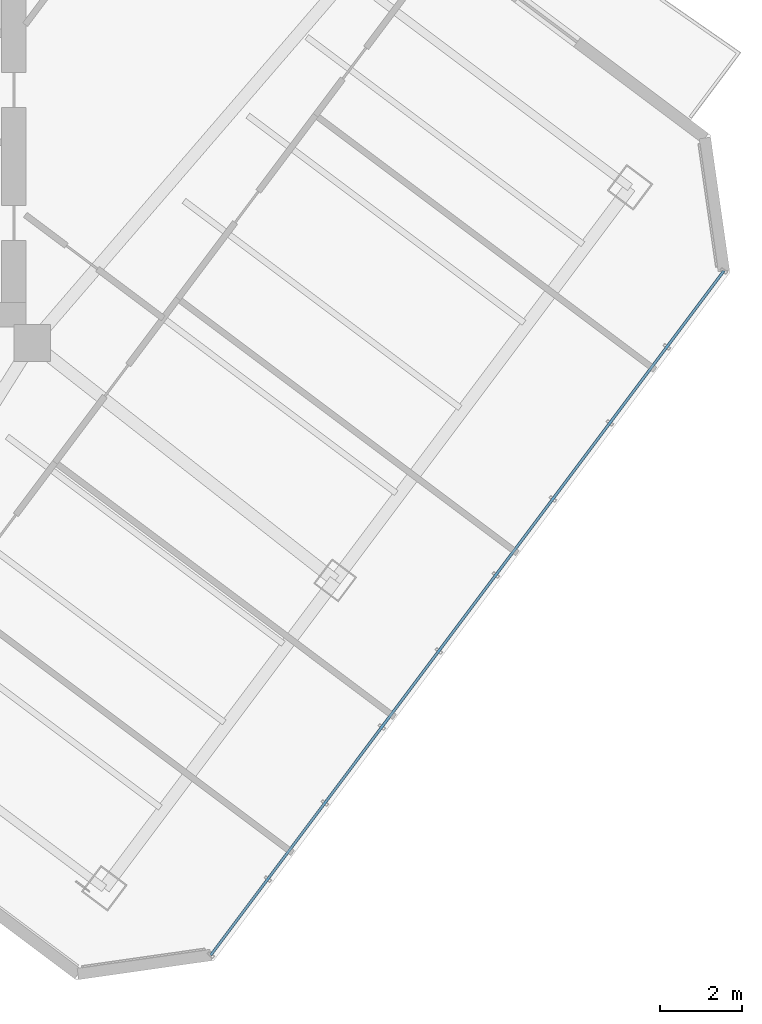
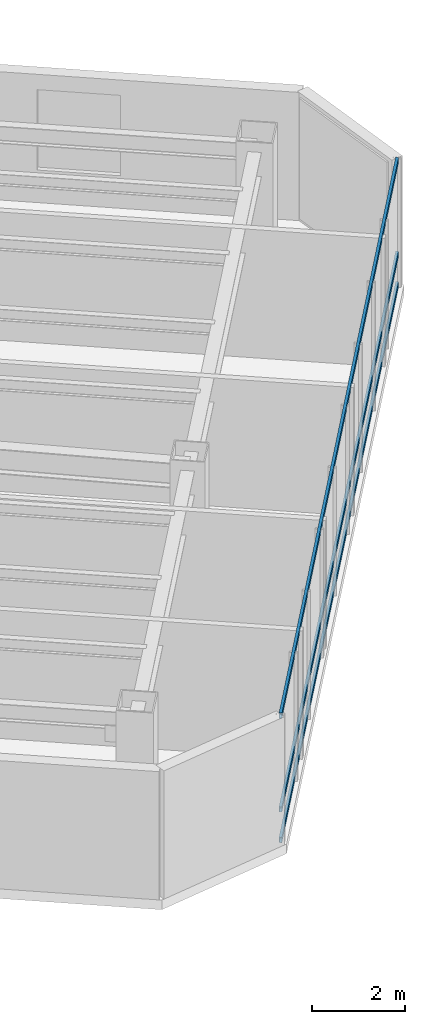
# One storey, part 12 of 27: 3 members, 1 element without a shape of its own.
"""IFC4 building model written with IfcOpenShell, lengths in metres."""

from ifc_helpers import new_model, si_unit, direction, frame, origin, origin_2d, place, context, subcontext, project, spatial, hollow_rectangle, extrude, material, layer, layer_set, material_profile, profile_set, type_object, element, aggregate, save


model = new_model("IFC4")

# Units and contexts
model_context = context("Model", 3, precision=1e-05, world=origin(), true_north=direction((0.0, 1.0)))
body_context = subcontext(model_context, "Body", "Model", "MODEL_VIEW")
ifc_project = project(units=[si_unit("LENGTHUNIT", "METRE"), si_unit("AREAUNIT", "SQUARE_METRE"), si_unit("VOLUMEUNIT", "CUBIC_METRE"), si_unit("PLANEANGLEUNIT", "RADIAN"), si_unit("MASSUNIT", "GRAM", prefix="KILO")], contexts=[model_context])

# Site, building, storey
site_placement = place(None, origin())
site = spatial("IfcSite", under=ifc_project, at=site_placement, CompositionType="ELEMENT")
building_placement = place(site_placement, origin())
building = spatial("IfcBuilding", under=site, at=building_placement, Name="Hatsunagi Terrace Concourse", CompositionType="ELEMENT")
storey_placement = place(building_placement, frame((0.0, 0.0, 163.64990234375)))
storey = spatial("IfcBuildingStorey", under=building, at=storey_placement, Name="L43", CompositionType="ELEMENT", Elevation=163.64990234375)

# Curtain wall, members
ifc_material_1 = material(Name="Anodised Aluminium Alloy 6063-T5", Category="aluminium")
ifc_layer = layer(ifc_material_1, 0.199951171875)
ifc_layer_set = layer_set([ifc_layer], Name="OfficeZone1_CW03")
curtain_wall_type = type_object("IfcCurtainWallType", Name="OfficeZone1_CW03", PredefinedType="NOTDEFINED", material=ifc_layer_set)
curtain_wall_placement = place(storey_placement, origin())
curtain_wall = element("IfcCurtainWall", 1, at=curtain_wall_placement, inside=storey, type_object=curtain_wall_type, Name="Unitised Curtain Wall CW-03 CW-L43-03", PredefinedType="NOTDEFINED")
ifc_material_2 = material(Name="Anodised Aluminium Alloy 6063-T5", Category="aluminium")
ifc_material_profile = material_profile(ifc_material_2, hollow_rectangle(XDim=0.06494140625, YDim=0.139892578125, WallThickness=0.00390625, at=origin_2d()), Name="ALU-TRN-140x65x4")
ifc_profile_set = profile_set([ifc_material_profile], Name="Anodised Aluminium Alloy 6063-T5")
member_type = type_object("IfcMemberType", Name="CurtainWallTransom_140x65", PredefinedType="USERDEFINED", material=ifc_profile_set)
member_1_placement = place(storey_placement, frame((60.693115234375, 25.9580078125, 0.050048828125), z_axis=(-0.599970072971, -0.800022444397, 0.0), x_axis=(0.800022444397, -0.599970072971, 0.0)))
member_1 = element("IfcMember", 2, at=member_1_placement, type_object=member_type, Name="Curtain Wall Transom TRN-02", ObjectType="TRANSOM", PredefinedType="USERDEFINED", context=body_context, shape_type="SweptSolid", body=[
    extrude(hollow_rectangle(XDim=0.06494140625, YDim=0.139892578125, WallThickness=0.00390625, at=origin_2d()), origin(), (0.0, 0.0, 1.0), 20.884521484375),
])
member_2_placement = place(storey_placement, frame((60.693115234375, 25.9580078125, 0.85009765625), z_axis=(-0.599970072971, -0.800022444397, 0.0), x_axis=(0.800022444397, -0.599970072971, 0.0)))
member_2 = element("IfcMember", 3, at=member_2_placement, type_object=member_type, Name="Curtain Wall Transom TRN-02", ObjectType="TRANSOM", PredefinedType="USERDEFINED", context=body_context, shape_type="SweptSolid", body=[
    extrude(hollow_rectangle(XDim=0.06494140625, YDim=0.139892578125, WallThickness=0.00390625, at=origin_2d()), origin(), (0.0, 0.0, 1.0), 20.884521484375),
])
member_3_placement = place(storey_placement, frame((60.693115234375, 25.9580078125, 3.300048828125), z_axis=(-0.599970072971, -0.800022444397, 0.0), x_axis=(0.800022444397, -0.599970072971, 0.0)))
member_3 = element("IfcMember", 4, at=member_3_placement, type_object=member_type, Name="Curtain Wall Transom TRN-02", ObjectType="TRANSOM", PredefinedType="USERDEFINED", context=body_context, shape_type="SweptSolid", body=[
    extrude(hollow_rectangle(XDim=0.06494140625, YDim=0.139892578125, WallThickness=0.00390625, at=origin_2d()), origin(), (0.0, 0.0, 1.0), 20.884521484375),
])
aggregate(curtain_wall, [member_1, member_2, member_3])

save(model, "model.ifc")
